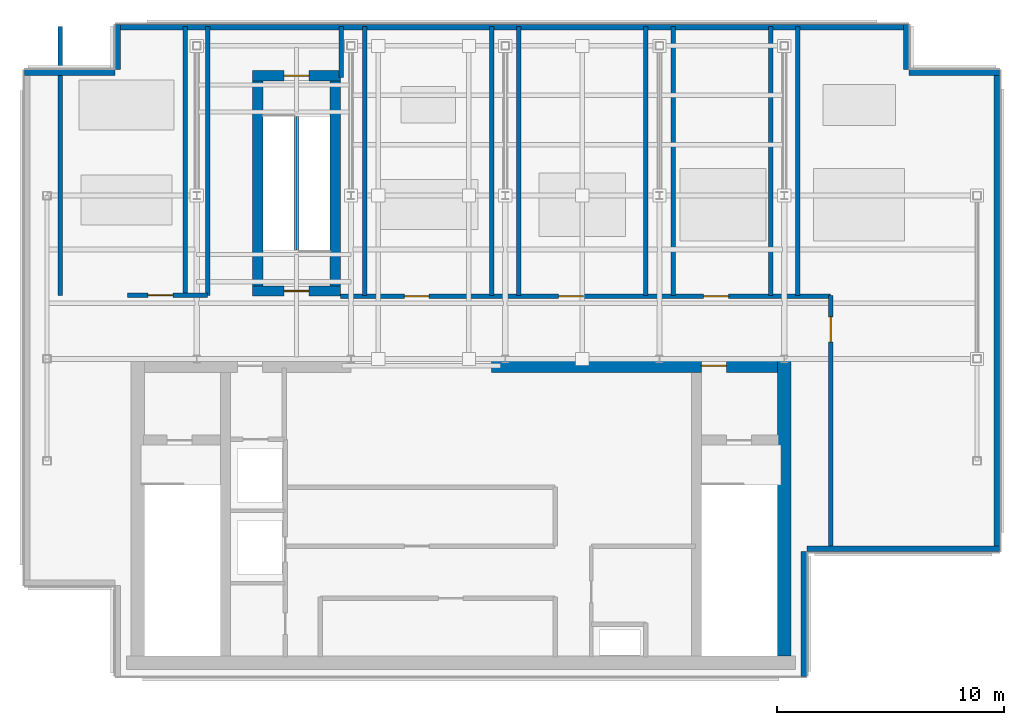
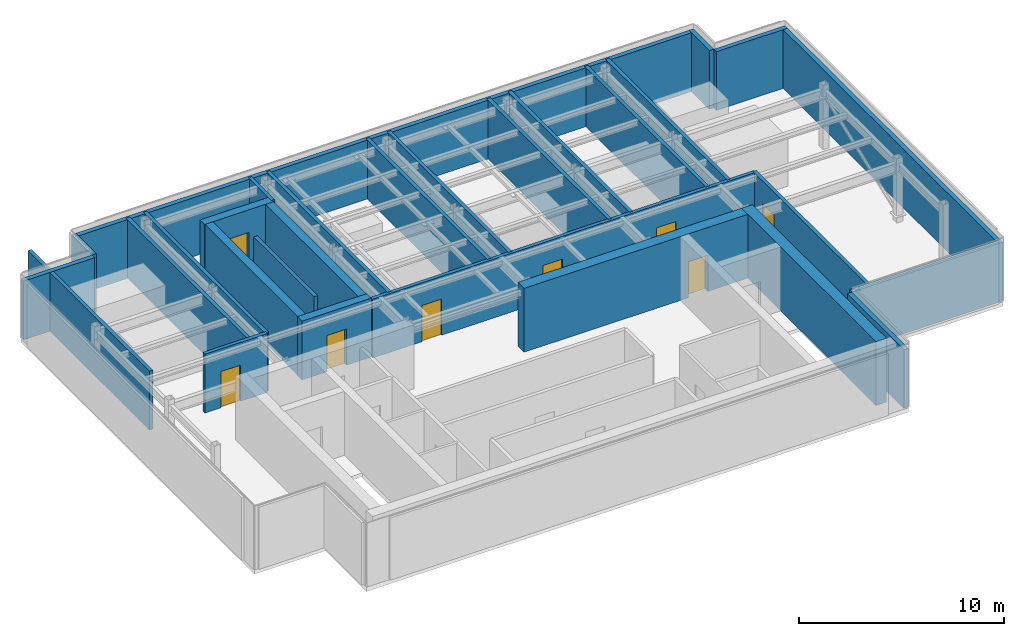
# One storey, part 3 of 5: 29 walls, 8 doors, 8 openings.
"""IFC4 building model written with IfcOpenShell, lengths in metres."""

from ifc_helpers import new_model, si_unit, derived_unit, direction, frame, frame_2d, origin, place, context, subcontext, project, spatial, rectangle, extrude, source, transform, mapped, material, layer, layer_set, type_object, element, fill, save


model = new_model("IFC4")

# Units and contexts
model_context = context("Model", 3, precision=1e-05, world=origin(), true_north=direction((0.0, 1.0)))
body_context = subcontext(model_context, "Body", "Model", "MODEL_VIEW")
ifc_project = project(units=[si_unit("LENGTHUNIT", "METRE"), si_unit("AREAUNIT", "SQUARE_METRE"), si_unit("VOLUMEUNIT", "CUBIC_METRE"), si_unit("PLANEANGLEUNIT", "RADIAN"), si_unit("MASSUNIT", "GRAM", prefix="KILO"), derived_unit("THERMALTRANSMITTANCEUNIT", [(si_unit("POWERUNIT", "WATT"), 1), (si_unit("LENGTHUNIT", "METRE"), -2), (si_unit("THERMODYNAMICTEMPERATUREUNIT", "KELVIN"), -1)])], contexts=[model_context])

# Site, building, storey
site_placement = place(None, origin())
site = spatial("IfcSite", under=ifc_project, at=site_placement, CompositionType="ELEMENT")
building_placement = place(site_placement, origin())
building = spatial("IfcBuilding", under=site, at=building_placement, Name="Skarnbrae Concourse Arena and Tower", CompositionType="ELEMENT")
storey_placement = place(building_placement, frame((0.0, 0.0, 311.25)))
storey = spatial("IfcBuildingStorey", under=building, at=storey_placement, Name="L81", CompositionType="ELEMENT", Elevation=311.25)

# Wall
ifc_material_1 = material(Name="Concrete 50 MPa (C50/60)", Category="concrete")
ifc_layer_1 = layer(ifc_material_1, 0.60009765625)
ifc_layer_set_1 = layer_set([ifc_layer_1], Name="Concrete 50 MPa (C50/60)")
wall_type_1 = type_object("IfcWallType", Name="WALL-CORE-600-C50", PredefinedType="SHEAR", material=ifc_layer_set_1)
shared_shape_1 = source(origin(), body_context, "Body", "SweptSolid", [
    extrude(rectangle(XDim=13.10009765625, YDim=0.60009765625, at=frame_2d((6.550048828125, 0.0))), origin(), (0.0, 0.0, 1.0), 3.800048828125),
])
wall_1_placement = place(storey_placement, frame((33.5, 0.89990234375, 0.0), z_axis=(0.0, 0.0, 1.0), x_axis=(0.0, 1.0, 0.0)))
element("IfcWall", 1, at=wall_1_placement, inside=storey, type_object=wall_type_1, Name="L81 Rear core shear wall CW-E", PredefinedType="SHEAR", context=body_context, shape_type="MappedRepresentation", body=[
    mapped(shared_shape_1, transform((0.0, 0.0, 0.0))),
])

# Wall, opening, door
shared_shape_2 = source(origin(), body_context, "Body", "SweptSolid", [
    extrude(rectangle(XDim=12.599853515625, YDim=0.60009765625, at=frame_2d((6.2998046875, 0.0))), origin(), (0.0, 0.0, 1.0), 3.800048828125),
])
wall_2_placement = place(storey_placement, frame((20.60009765625, 13.699951171875, 0.0), z_axis=(0.0, 0.0, 1.0), x_axis=(1.0, 0.0, 0.0)))
wall_2 = element("IfcWall", 2, at=wall_2_placement, inside=storey, type_object=wall_type_1, Name="L81 Rear core shear wall CW-NE", PredefinedType="SHEAR", context=body_context, shape_type="MappedRepresentation", body=[
    mapped(shared_shape_2, transform((0.0, 0.0, 0.0))),
])
opening_1_placement = place(wall_2_placement, frame((9.25, 0.0, 0.0)))
opening_1 = element("IfcOpeningElement", 3, at=opening_1_placement, cuts=wall_2, Name="Opening DT-03", PredefinedType="OPENING", context=body_context, shape_type="SweptSolid", body=[
    extrude(rectangle(XDim=1.10009765625, YDim=2.14990234375, at=frame_2d((0.550048828125, 1.074951171875))), frame((0.0, 0.31005859375, 0.0), z_axis=(0.0, -1.0, 0.0), x_axis=(1.0, 0.0, 0.0)), (0.0, 0.0, 1.0), 0.6201171875),
])
ifc_material_2 = material(Name="Steel CSA G40.21 350W", Category="steel")
door_type = type_object("IfcDoorType", Name="DOOR-FIRE-1100-90M", OperationType="NOTDEFINED", PredefinedType="DOOR", material=ifc_material_2)
shared_shape_3 = source(origin(), body_context, "Body", "SweptSolid", [
    extrude(rectangle(XDim=1.10009765625, YDim=2.14990234375, at=frame_2d((0.550048828125, 1.074951171875))), frame((0.0, 0.02490234375, 0.0), z_axis=(0.0, -1.0, 0.0), x_axis=(1.0, 0.0, 0.0)), (0.0, 0.0, 1.0), 0.050048828125),
])
door_1_placement = place(opening_1_placement, origin())
door_1 = element("IfcDoor", 4, at=door_1_placement, inside=storey, type_object=door_type, Name="D-2374 Stair ST-2 Vestibule Door", OperationType="SINGLE_SWING_LEFT", OverallHeight=2.14990234375, OverallWidth=1.10009765625, PredefinedType="DOOR", context=body_context, shape_type="MappedRepresentation", body=[
    mapped(shared_shape_3, transform((0.0, 0.0, 0.0))),
])
fill(opening_1, door_1)

# Walls
ifc_material_3 = material(Name="Precast concrete 40 MPa (C40/50)", Category="concrete")
ifc_layer_2 = layer(ifc_material_3, 0.25)
ifc_layer_set_2 = layer_set([ifc_layer_2], Name="Precast concrete 40 MPa (C40/50)")
wall_type_2 = type_object("IfcWallType", Name="WALL-CROWN-BRONZE-250", PredefinedType="STANDARD", material=ifc_layer_set_2)
shared_shape_4 = source(origin(), body_context, "Body", "SweptSolid", [
    extrude(rectangle(XDim=5.5, YDim=0.25, at=frame_2d((2.75, 0.0))), origin(), (0.0, 0.0, 1.0), 3.5),
])
wall_3_placement = place(storey_placement, frame((34.375, 0.0, 0.0), z_axis=(0.0, 0.0, 1.0), x_axis=(0.0, 1.0, 0.0)))
element("IfcWall", 5, at=wall_3_placement, inside=storey, type_object=wall_type_2, Name="L81 Crown enclosure wall 02", PredefinedType="STANDARD", context=body_context, shape_type="MappedRepresentation", body=[
    mapped(shared_shape_4, transform((0.0, 0.0, 0.0))),
])
shared_shape_5 = source(origin(), body_context, "Body", "SweptSolid", [
    extrude(rectangle(XDim=8.5, YDim=0.25, at=frame_2d((4.25, 0.0))), origin(), (0.0, 0.0, 1.0), 3.5),
])
wall_4_placement = place(storey_placement, frame((34.5, 5.625, 0.0), z_axis=(0.0, 0.0, 1.0), x_axis=(1.0, 0.0, 0.0)))
element("IfcWall", 6, at=wall_4_placement, inside=storey, type_object=wall_type_2, Name="L81 Crown enclosure wall 03", PredefinedType="STANDARD", context=body_context, shape_type="MappedRepresentation", body=[
    mapped(shared_shape_5, transform((0.0, 0.0, 0.0))),
])
shared_shape_6 = source(origin(), body_context, "Body", "SweptSolid", [
    extrude(rectangle(XDim=21.25, YDim=0.25, at=frame_2d((10.625, 0.0))), origin(), (0.0, 0.0, 1.0), 3.5),
])
wall_5_placement = place(storey_placement, frame((42.875, 5.5, 0.0), z_axis=(0.0, 0.0, 1.0), x_axis=(0.0, 1.0, 0.0)))
element("IfcWall", 7, at=wall_5_placement, inside=storey, type_object=wall_type_2, Name="L81 Crown enclosure wall 04", PredefinedType="STANDARD", context=body_context, shape_type="MappedRepresentation", body=[
    mapped(shared_shape_6, transform((0.0, 0.0, 0.0))),
])
shared_shape_7 = source(origin(), body_context, "Body", "SweptSolid", [
    extrude(rectangle(XDim=4.0, YDim=0.25, at=frame_2d((2.0, 0.0))), origin(), (0.0, 0.0, 1.0), 3.5),
])
for number, where, z_axis, x_axis, name in (
    (8, (43.0, 26.625, 0.0), (0.0, 0.0, 1.0), (-1.0, 0.0, 0.0), "L81 Crown enclosure wall 05"),
    (9, (4.0, 26.625, 0.0), (0.0, 0.0, 1.0), (-1.0, 0.0, 0.0), "L81 Crown enclosure wall 09"),
):
    element("IfcWall", number, at=place(storey_placement, frame(where, z_axis=z_axis, x_axis=x_axis)), inside=storey, type_object=wall_type_2, Name=name, PredefinedType="STANDARD", context=body_context, shape_type="MappedRepresentation", body=[
        mapped(shared_shape_7, transform((0.0, 0.0, 0.0))),
    ])
shared_shape_8 = source(origin(), body_context, "Body", "SweptSolid", [
    extrude(rectangle(XDim=2.0, YDim=0.25, at=frame_2d((1.0, 0.0))), origin(), (0.0, 0.0, 1.0), 3.5),
])
for number, where, z_axis, x_axis, name in (
    (10, (38.875, 26.75, 0.0), (0.0, 0.0, 1.0), (0.0, 1.0, 0.0), "L81 Crown enclosure wall 06"),
    (11, (4.125, 28.75, 0.0), (0.0, 0.0, 1.0), (0.0, -1.0, 0.0), "L81 Crown enclosure wall 08"),
):
    element("IfcWall", number, at=place(storey_placement, frame(where, z_axis=z_axis, x_axis=x_axis)), inside=storey, type_object=wall_type_2, Name=name, PredefinedType="STANDARD", context=body_context, shape_type="MappedRepresentation", body=[
        mapped(shared_shape_8, transform((0.0, 0.0, 0.0))),
    ])
shared_shape_9 = source(origin(), body_context, "Body", "SweptSolid", [
    extrude(rectangle(XDim=35.0, YDim=0.25, at=frame_2d((17.5, 0.0))), origin(), (0.0, 0.0, 1.0), 3.5),
])
wall_6_placement = place(storey_placement, frame((39.0, 28.625, 0.0), z_axis=(0.0, 0.0, 1.0), x_axis=(-1.0, 0.0, 0.0)))
element("IfcWall", 12, at=wall_6_placement, inside=storey, type_object=wall_type_2, Name="L81 Crown enclosure wall 07", PredefinedType="STANDARD", context=body_context, shape_type="MappedRepresentation", body=[
    mapped(shared_shape_9, transform((0.0, 0.0, 0.0))),
])
ifc_material_4 = material(Name="Gypsum board on cold-formed steel studs", Category="steel")
ifc_layer_3 = layer(ifc_material_4, 0.199951171875)
ifc_layer_set_3 = layer_set([ifc_layer_3], Name="Gypsum board on cold-formed steel studs")
wall_type_3 = type_object("IfcWallType", Name="WALL-PART-200-2HR", PredefinedType="PARTITIONING", material=ifc_layer_set_3)
shared_shape_10 = source(origin(), body_context, "Body", "SweptSolid", [
    extrude(rectangle(XDim=5.8798828125, YDim=0.199951171875, at=frame_2d((2.93994140625, 0.0))), origin(), (0.0, 0.0, 1.0), 3.080078125),
])
wall_7_placement = place(storey_placement, frame((12.0, 18.800048828125, 0.0), z_axis=(0.0, 0.0, 1.0), x_axis=(0.0, 1.0, 0.0)))
element("IfcWall", 13, at=wall_7_placement, inside=storey, type_object=wall_type_3, Name="L81 Scissor stair dividing wall ST-CRWN", PredefinedType="PARTITIONING", context=body_context, shape_type="MappedRepresentation", body=[
    mapped(shared_shape_10, transform((0.0, 0.0, 0.0))),
])

# Wall, opening, door
ifc_layer_4 = layer(ifc_material_1, 0.449951171875)
ifc_layer_set_4 = layer_set([ifc_layer_4], Name="Concrete 50 MPa (C50/60)")
wall_type_4 = type_object("IfcWallType", Name="WALL-CORE-450-C50", PredefinedType="SHEAR", material=ifc_layer_set_4)
shared_shape_11 = source(origin(), body_context, "Body", "SweptSolid", [
    extrude(rectangle(XDim=3.89990234375, YDim=0.449951171875, at=frame_2d((1.949951171875, 0.0))), origin(), (0.0, 0.0, 1.0), 3.5),
])
wall_8_placement = place(storey_placement, frame((10.050048828125, 16.9951171875, 0.0), z_axis=(0.0, 0.0, 1.0), x_axis=(1.0, 0.0, 0.0)))
wall_8 = element("IfcWall", 14, at=wall_8_placement, inside=storey, type_object=wall_type_4, Name="L81 Protected stair shaft wall ST-CRWN-S", PredefinedType="SHEAR", context=body_context, shape_type="MappedRepresentation", body=[
    mapped(shared_shape_11, transform((0.0, 0.0, 0.0))),
])
opening_2_placement = place(wall_8_placement, frame((1.39990234375, 0.0, 0.0)))
opening_2 = element("IfcOpeningElement", 15, at=opening_2_placement, cuts=wall_8, Name="Opening DT-03", PredefinedType="OPENING", context=body_context, shape_type="SweptSolid", body=[
    extrude(rectangle(XDim=1.10009765625, YDim=2.14990234375, at=frame_2d((0.550048828125, 1.074951171875))), frame((0.0, 0.23486328125, 0.0), z_axis=(0.0, -1.0, 0.0), x_axis=(1.0, 0.0, 0.0)), (0.0, 0.0, 1.0), 0.469970703125),
])
door_2_placement = place(opening_2_placement, origin())
door_2 = element("IfcDoor", 16, at=door_2_placement, inside=storey, type_object=door_type, Name="D-2386 Exit Stair ST-CRWN Door", OperationType="SINGLE_SWING_RIGHT", OverallHeight=2.14990234375, OverallWidth=1.10009765625, PredefinedType="DOOR", context=body_context, shape_type="MappedRepresentation", body=[
    mapped(shared_shape_3, transform((0.0, 0.0, 0.0))),
])
fill(opening_2, door_2)

wall_9_placement = place(storey_placement, frame((10.050048828125, 26.485107421875, 0.0), z_axis=(0.0, 0.0, 1.0), x_axis=(1.0, 0.0, 0.0)))
wall_9 = element("IfcWall", 17, at=wall_9_placement, inside=storey, type_object=wall_type_4, Name="L81 Protected stair shaft wall ST-CRWN-N", PredefinedType="SHEAR", context=body_context, shape_type="MappedRepresentation", body=[
    mapped(shared_shape_11, transform((0.0, 0.0, 0.0))),
])
opening_3_placement = place(wall_9_placement, frame((1.39990234375, 0.0, 0.0)))
opening_3 = element("IfcOpeningElement", 18, at=opening_3_placement, cuts=wall_9, Name="Opening DT-03", PredefinedType="OPENING", context=body_context, shape_type="SweptSolid", body=[
    extrude(rectangle(XDim=1.10009765625, YDim=2.14990234375, at=frame_2d((0.550048828125, 1.074951171875))), frame((0.0, 0.23486328125, 0.0), z_axis=(0.0, -1.0, 0.0), x_axis=(1.0, 0.0, 0.0)), (0.0, 0.0, 1.0), 0.469970703125),
])
door_3_placement = place(opening_3_placement, frame((1.10009765625, 0.0, 0.0), z_axis=(0.0, 0.0, 1.0), x_axis=(-1.0, 0.0, 0.0)))
door_3 = element("IfcDoor", 19, at=door_3_placement, inside=storey, type_object=door_type, Name="D-2387 Exit Stair ST-CRWN North Door", OperationType="SINGLE_SWING_RIGHT", OverallHeight=2.14990234375, OverallWidth=1.10009765625, PredefinedType="DOOR", context=body_context, shape_type="MappedRepresentation", body=[
    mapped(shared_shape_3, transform((0.0, 0.0, 0.0))),
])
fill(opening_3, door_3)

# Walls
shared_shape_12 = source(origin(), body_context, "Body", "SweptSolid", [
    extrude(rectangle(XDim=9.080078125, YDim=0.449951171875, at=frame_2d((4.5400390625, 0.0))), origin(), (0.0, 0.0, 1.0), 3.5),
])
for number, where, z_axis, x_axis, name in (
    (20, (10.294921875, 17.199951171875, 0.0), (0.0, 0.0, 1.0), (0.0, 1.0, 0.0), "L81 Protected stair shaft wall ST-CRWN-W"),
    (21, (13.705078125, 17.199951171875, 0.0), (0.0, 0.0, 1.0), (0.0, 1.0, 0.0), "L81 Protected stair shaft wall ST-CRWN-E"),
):
    element("IfcWall", number, at=place(storey_placement, frame(where, z_axis=z_axis, x_axis=x_axis)), inside=storey, type_object=wall_type_4, Name=name, PredefinedType="SHEAR", context=body_context, shape_type="MappedRepresentation", body=[
        mapped(shared_shape_12, transform((0.0, 0.0, 0.0))),
    ])
shared_shape_13 = source(origin(), body_context, "Body", "SweptSolid", [
    extrude(rectangle(XDim=11.849853515625, YDim=0.199951171875, at=frame_2d((5.9248046875, 0.0))), origin(), (0.0, 0.0, 1.0), 3.5),
])
for number, where, z_axis, x_axis, name in (
    (22, (8.080078125, 16.800048828125, 0.0), (0.0, 0.0, 1.0), (0.0, 1.0, 0.0), "L81 Interior partition wall W-L81-CW1"),
    (23, (1.580078125, 16.800048828125, 0.0), (0.0, 0.0, 1.0), (0.0, 1.0, 0.0), "L81 Interior partition wall W-L81-BCW0"),
    (24, (7.10009765625, 16.800048828125, 0.0), (0.0, 0.0, 1.0), (0.0, 1.0, 0.0), "L81 Interior partition wall W-L81-BCW"),
    (25, (15.0, 16.800048828125, 0.0), (0.0, 0.0, 1.0), (0.0, 1.0, 0.0), "L81 Interior partition wall W-L81-BCH-150"),
    (26, (20.60009765625, 16.800048828125, 0.0), (0.0, 0.0, 1.0), (0.0, 1.0, 0.0), "L81 Interior partition wall W-L81-BCH-206"),
    (27, (21.800048828125, 16.800048828125, 0.0), (0.0, 0.0, 1.0), (0.0, 1.0, 0.0), "L81 Interior partition wall W-L81-BCH-218"),
    (28, (27.39990234375, 16.800048828125, 0.0), (0.0, 0.0, 1.0), (0.0, 1.0, 0.0), "L81 Interior partition wall W-L81-BCH-274"),
    (29, (28.60009765625, 16.800048828125, 0.0), (0.0, 0.0, 1.0), (0.0, 1.0, 0.0), "L81 Interior partition wall W-L81-BCH-286"),
    (30, (32.89990234375, 16.800048828125, 0.0), (0.0, 0.0, 1.0), (0.0, 1.0, 0.0), "L81 Interior partition wall W-L81-BCH-329"),
    (31, (34.10009765625, 16.800048828125, 0.0), (0.0, 0.0, 1.0), (0.0, 1.0, 0.0), "L81 Interior partition wall W-L81-BCH-341"),
):
    element("IfcWall", number, at=place(storey_placement, frame(where, z_axis=z_axis, x_axis=x_axis)), inside=storey, type_object=wall_type_3, Name=name, PredefinedType="PARTITIONING", context=body_context, shape_type="MappedRepresentation", body=[
        mapped(shared_shape_13, transform((0.0, 0.0, 0.0))),
    ])

# Wall, opening, door
shared_shape_14 = source(origin(), body_context, "Body", "SweptSolid", [
    extrude(rectangle(XDim=3.530029296875, YDim=0.199951171875, at=frame_2d((1.76513671875, 0.0))), origin(), (0.0, 0.0, 1.0), 3.5),
])
wall_10_placement = place(storey_placement, frame((4.550048828125, 16.800048828125, 0.0), z_axis=(0.0, 0.0, 1.0), x_axis=(1.0, 0.0, 0.0)))
wall_10 = element("IfcWall", 32, at=wall_10_placement, inside=storey, type_object=wall_type_3, Name="L81 Interior partition wall W-L81-CW2", PredefinedType="PARTITIONING", context=body_context, shape_type="MappedRepresentation", body=[
    mapped(shared_shape_14, transform((0.0, 0.0, 0.0))),
])
opening_4_placement = place(wall_10_placement, frame((0.89990234375, 0.0, 0.0)))
opening_4 = element("IfcOpeningElement", 33, at=opening_4_placement, cuts=wall_10, Name="Opening DT-03", PredefinedType="OPENING", context=body_context, shape_type="SweptSolid", body=[
    extrude(rectangle(XDim=1.10009765625, YDim=2.14990234375, at=frame_2d((0.550048828125, 1.074951171875))), frame((0.0, 0.10986328125, 0.0), z_axis=(0.0, -1.0, 0.0), x_axis=(1.0, 0.0, 0.0)), (0.0, 0.0, 1.0), 0.219970703125),
])
door_4_placement = place(opening_4_placement, origin())
door_4 = element("IfcDoor", 34, at=door_4_placement, inside=storey, type_object=door_type, Name="D-2381 L81 West Plant Door", OperationType="SINGLE_SWING_LEFT", OverallHeight=2.14990234375, OverallWidth=1.10009765625, PredefinedType="DOOR", context=body_context, shape_type="MappedRepresentation", body=[
    mapped(shared_shape_3, transform((0.0, 0.0, 0.0))),
])
fill(opening_4, door_4)

# Wall, openings, doors
shared_shape_15 = source(origin(), body_context, "Body", "SweptSolid", [
    extrude(rectangle(XDim=21.60009765625, YDim=0.199951171875, at=frame_2d((10.800048828125, 0.0))), origin(), (0.0, 0.0, 1.0), 3.5),
])
wall_11_placement = place(storey_placement, frame((13.949951171875, 16.760009765625, 0.0), z_axis=(0.0, 0.0, 1.0), x_axis=(1.0, 0.0, 0.0)))
wall_11 = element("IfcWall", 35, at=wall_11_placement, inside=storey, type_object=wall_type_3, Name="L81 Interior partition wall W-L81-CE1", PredefinedType="PARTITIONING", context=body_context, shape_type="MappedRepresentation", body=[
    mapped(shared_shape_15, transform((0.0, 0.0, 0.0))),
])
opening_5_placement = place(wall_11_placement, frame((2.800048828125, 0.0, 0.0)))
opening_5 = element("IfcOpeningElement", 36, at=opening_5_placement, cuts=wall_11, Name="Opening DT-03", PredefinedType="OPENING", context=body_context, shape_type="SweptSolid", body=[
    extrude(rectangle(XDim=1.10009765625, YDim=2.14990234375, at=frame_2d((0.550048828125, 1.074951171875))), frame((0.0, 0.10986328125, 0.0), z_axis=(0.0, -1.0, 0.0), x_axis=(1.0, 0.0, 0.0)), (0.0, 0.0, 1.0), 0.219970703125),
])
opening_6_placement = place(wall_11_placement, frame((9.60009765625, 0.0, 0.0)))
opening_6 = element("IfcOpeningElement", 37, at=opening_6_placement, cuts=wall_11, Name="Opening DT-03", PredefinedType="OPENING", context=body_context, shape_type="SweptSolid", body=[
    extrude(rectangle(XDim=1.10009765625, YDim=2.14990234375, at=frame_2d((0.550048828125, 1.074951171875))), frame((0.0, 0.10986328125, 0.0), z_axis=(0.0, -1.0, 0.0), x_axis=(1.0, 0.0, 0.0)), (0.0, 0.0, 1.0), 0.219970703125),
])
opening_7_placement = place(wall_11_placement, frame((16.0, 0.0, 0.0)))
opening_7 = element("IfcOpeningElement", 38, at=opening_7_placement, cuts=wall_11, Name="Opening DT-03", PredefinedType="OPENING", context=body_context, shape_type="SweptSolid", body=[
    extrude(rectangle(XDim=1.10009765625, YDim=2.14990234375, at=frame_2d((0.550048828125, 1.074951171875))), frame((0.0, 0.10986328125, 0.0), z_axis=(0.0, -1.0, 0.0), x_axis=(1.0, 0.0, 0.0)), (0.0, 0.0, 1.0), 0.219970703125),
])
door_5_placement = place(opening_5_placement, origin())
door_5 = element("IfcDoor", 39, at=door_5_placement, inside=storey, type_object=door_type, Name="D-2382 L81 Crown Chiller Mechanical Plant Door", OperationType="SINGLE_SWING_LEFT", OverallHeight=2.14990234375, OverallWidth=1.10009765625, PredefinedType="DOOR", context=body_context, shape_type="MappedRepresentation", body=[
    mapped(shared_shape_3, transform((0.0, 0.0, 0.0))),
])
fill(opening_5, door_5)
door_6_placement = place(opening_6_placement, origin())
door_6 = element("IfcDoor", 40, at=door_6_placement, inside=storey, type_object=door_type, Name="D-2383 L81 Crown Water Tank Mechanical Plant Door", OperationType="SINGLE_SWING_LEFT", OverallHeight=2.14990234375, OverallWidth=1.10009765625, PredefinedType="DOOR", context=body_context, shape_type="MappedRepresentation", body=[
    mapped(shared_shape_3, transform((0.0, 0.0, 0.0))),
])
fill(opening_6, door_6)
door_7_placement = place(opening_7_placement, origin())
door_7 = element("IfcDoor", 41, at=door_7_placement, inside=storey, type_object=door_type, Name="D-2384 L81 Crown Boiler Mechanical Plant Door", OperationType="SINGLE_SWING_LEFT", OverallHeight=2.14990234375, OverallWidth=1.10009765625, PredefinedType="DOOR", context=body_context, shape_type="MappedRepresentation", body=[
    mapped(shared_shape_3, transform((0.0, 0.0, 0.0))),
])
fill(opening_7, door_7)

# Wall
shared_shape_16 = source(origin(), body_context, "Body", "SweptSolid", [
    extrude(rectangle(XDim=2.25, YDim=0.199951171875, at=frame_2d((1.125, 0.0))), origin(), (0.0, 0.0, 1.0), 3.5),
])
wall_12_placement = place(storey_placement, frame((13.97998046875, 26.39990234375, 0.0), z_axis=(0.0, 0.0, 1.0), x_axis=(0.0, 1.0, 0.0)))
element("IfcWall", 42, at=wall_12_placement, inside=storey, type_object=wall_type_3, Name="L81 Interior partition wall W-L81-DN", PredefinedType="PARTITIONING", context=body_context, shape_type="MappedRepresentation", body=[
    mapped(shared_shape_16, transform((0.0, 0.0, 0.0))),
])

# Wall, opening, door
shared_shape_17 = source(origin(), body_context, "Body", "SweptSolid", [
    extrude(rectangle(XDim=11.25, YDim=0.199951171875, at=frame_2d((5.625, 0.0))), origin(), (0.0, 0.0, 1.0), 3.5),
])
wall_13_placement = place(storey_placement, frame((35.550048828125, 5.550048828125, 0.0), z_axis=(0.0, 0.0, 1.0), x_axis=(0.0, 1.0, 0.0)))
wall_13 = element("IfcWall", 43, at=wall_13_placement, inside=storey, type_object=wall_type_3, Name="L81 Interior partition wall W-L81-CE2", PredefinedType="PARTITIONING", context=body_context, shape_type="MappedRepresentation", body=[
    mapped(shared_shape_17, transform((0.0, 0.0, 0.0))),
])
opening_8_placement = place(wall_13_placement, frame((9.199951171875, 0.0, 0.0)))
opening_8 = element("IfcOpeningElement", 44, at=opening_8_placement, cuts=wall_13, Name="Opening DT-03", PredefinedType="OPENING", context=body_context, shape_type="SweptSolid", body=[
    extrude(rectangle(XDim=1.10009765625, YDim=2.14990234375, at=frame_2d((0.550048828125, 1.074951171875))), frame((0.0, 0.10986328125, 0.0), z_axis=(0.0, -1.0, 0.0), x_axis=(1.0, 0.0, 0.0)), (0.0, 0.0, 1.0), 0.219970703125),
])
door_8_placement = place(opening_8_placement, frame((1.10009765625, 0.0, 0.0), z_axis=(0.0, 0.0, 1.0), x_axis=(-1.0, 0.0, 0.0)))
door_8 = element("IfcDoor", 45, at=door_8_placement, inside=storey, type_object=door_type, Name="D-2385 L81 Crown Switchgear Mechanical Plant Door", OperationType="SINGLE_SWING_LEFT", OverallHeight=2.14990234375, OverallWidth=1.10009765625, PredefinedType="DOOR", context=body_context, shape_type="MappedRepresentation", body=[
    mapped(shared_shape_3, transform((0.0, 0.0, 0.0))),
])
fill(opening_8, door_8)

save(model, "model.ifc")
